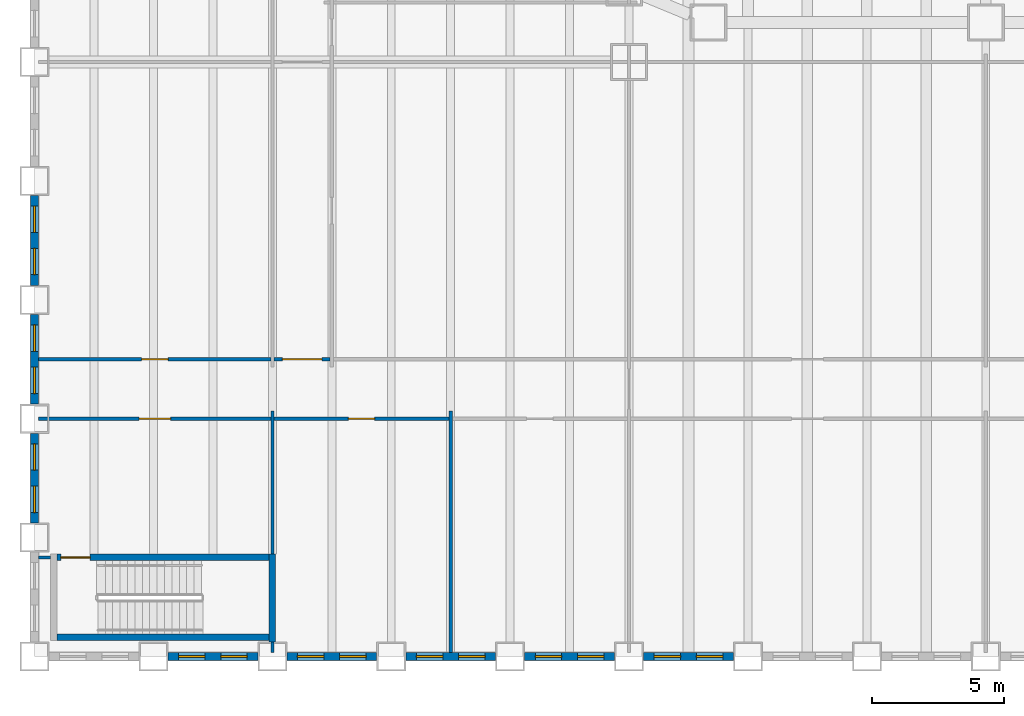
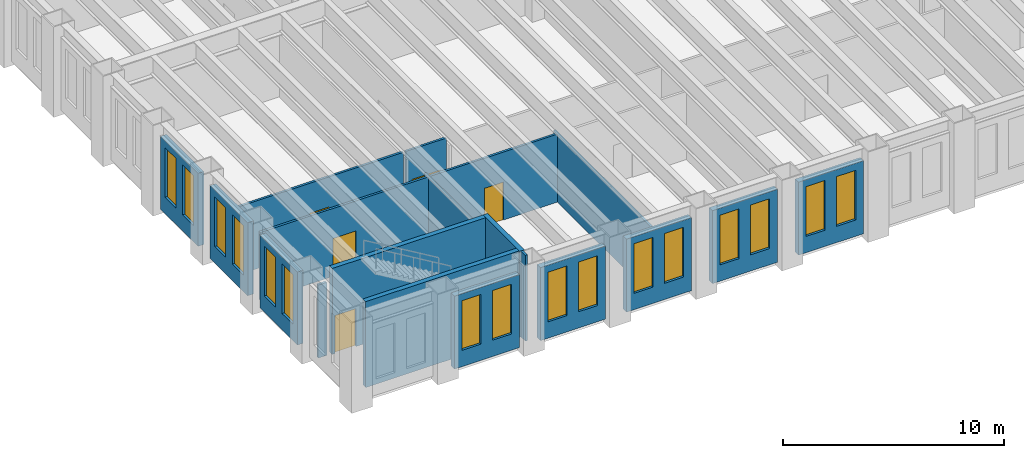
# One storey, part 9 of 19: 19 walls, 16 windows, 5 doors, 21 openings.
"""IFC4 building model written with IfcOpenShell, lengths in metres."""

import ifcopenshell
import ifcopenshell.guid

model = None  # the IFC model being written
_history = None  # IfcOwnerHistory: only IFC2X3 demands one
_inside = {}  # id of a spatial element -> (the spatial element, [elements in it])
_under = {}  # id of a project, library or spatial element -> (it, [spatial elements below it])
_declared = {}  # id of a project -> (the project, [libraries it declares])
_typed = {}  # id of a type object -> (the type object, [elements of that type])
_made_of = {}  # id of a material, layer set ... -> (it, [elements and type objects made of it])


def new_model(schema):
    """Start an empty IFC model of exactly this schema.

    Asked for "IFC4X3", IfcOpenShell would pick the latest addendum, in which some entities
    have other attributes; the version numbers below select the first issue.
    IFC2X3 requires an IfcOwnerHistory on every rooted entity: one is made here for all.
    """
    global model, _history
    if schema == "IFC4X3":
        model = ifcopenshell.file(schema_version=(4, 3, 0, 0))
    else:
        model = ifcopenshell.file(schema=schema)
    _inside.clear()
    _under.clear()
    _declared.clear()
    _typed.clear()
    _made_of.clear()
    _history = None
    if model.schema == "IFC2X3":
        org = make("IfcOrganization", Name="unknown")
        user = make(
            "IfcPersonAndOrganization",
            ThePerson=make("IfcPerson", FamilyName="unknown"),
            TheOrganization=org,
        )
        app = make(
            "IfcApplication",
            ApplicationDeveloper=org,
            Version="unknown",
            ApplicationFullName="unknown",
            ApplicationIdentifier="unknown",
        )
        _history = make(
            "IfcOwnerHistory",
            OwningUser=user,
            OwningApplication=app,
            ChangeAction="ADDED",
            CreationDate=0,
        )
    return model


def make(cls, **values):
    """One entity of the class cls with the attributes given. An attribute that is None is left unset."""
    return model.create_entity(
        cls, **{name: value for name, value in values.items() if value is not None}
    )


def rooted(cls, **values):
    """An entity with a GlobalId (a new one), such as an element, a storey or a relation."""
    return make(cls, GlobalId=ifcopenshell.guid.new(), OwnerHistory=_history, **values)


def si_unit(unit_type, name, prefix=None):
    """IfcSIUnit, for example si_unit("LENGTHUNIT", "METRE", prefix="MILLI")."""
    return make("IfcSIUnit", UnitType=unit_type, Prefix=prefix, Name=name)


def assignment(units):
    """IfcUnitAssignment: the units of a project."""
    return None if units is None else make("IfcUnitAssignment", Units=units)


def point(xyz):
    """IfcCartesianPoint."""
    return None if xyz is None else make("IfcCartesianPoint", Coordinates=xyz)


def direction(xyz):
    """IfcDirection."""
    return None if xyz is None else make("IfcDirection", DirectionRatios=xyz)


def frame(location, z_axis=None, x_axis=None):
    """IfcAxis2Placement3D, a coordinate frame: its origin and axes. An axis left out is left unset."""
    return make(
        "IfcAxis2Placement3D",
        Location=point(location),
        Axis=direction(z_axis),
        RefDirection=direction(x_axis),
    )


def frame_2d(location, x_axis=None):
    """IfcAxis2Placement2D, a coordinate frame in the plane: its origin and x axis."""
    return make(
        "IfcAxis2Placement2D", Location=point(location), RefDirection=direction(x_axis)
    )


def origin():
    """The frame at (0, 0, 0) with its axes left unset."""
    return frame((0.0, 0.0, 0.0))


def place(relative_to, where):
    """IfcLocalPlacement: puts the frame where relative to a parent placement (None: the world)."""
    return make(
        "IfcLocalPlacement", PlacementRelTo=relative_to, RelativePlacement=where
    )


def context(
    kind, dimensions, precision=None, world=None, true_north=None, identifier=None
):
    """IfcGeometricRepresentationContext, for example the 3D "Model" context."""
    return make(
        "IfcGeometricRepresentationContext",
        ContextIdentifier=identifier,
        ContextType=kind,
        CoordinateSpaceDimension=dimensions,
        Precision=precision,
        WorldCoordinateSystem=world,
        TrueNorth=true_north,
    )


def subcontext(parent, identifier, kind, view, scale=None):
    """IfcGeometricRepresentationSubContext, for example "Body" below "Model"."""
    return make(
        "IfcGeometricRepresentationSubContext",
        ContextIdentifier=identifier,
        ContextType=kind,
        ParentContext=parent,
        TargetScale=scale,
        TargetView=view,
    )


def project(units=None, contexts=None):
    """IfcProject with its units and contexts."""
    return rooted(
        "IfcProject",
        Name="project",
        RepresentationContexts=contexts,
        UnitsInContext=assignment(units),
    )


def spatial(cls, under=None, at=None, **own):
    """A site, building, storey or space (cls), placed at a placement, below another one or the project."""
    s = rooted(cls, ObjectPlacement=at, **own)
    if under is not None:
        _under.setdefault(under.id(), (under, []))[1].append(s)
    return s


def profile(cls, at=None, kind="AREA", **sizes):
    """A parametric profile (cls). Its sizes go by their IFC names, for example OverallWidth=200.0."""
    return make(cls, ProfileType=kind, Position=at, **sizes)


def rectangle(**sizes):
    """IfcRectangleProfileDef."""
    return profile("IfcRectangleProfileDef", **sizes)


def extrude(swept, where, along, depth):
    """IfcExtrudedAreaSolid: the profile swept, set in the frame where, extruded along a direction by depth."""
    return make(
        "IfcExtrudedAreaSolid",
        SweptArea=swept,
        Position=where,
        ExtrudedDirection=direction(along),
        Depth=depth,
    )


def shape(context_of_items, identifier, shape_type, items):
    """IfcShapeRepresentation: the items that make up one representation, for example the "Body"."""
    return make(
        "IfcShapeRepresentation",
        ContextOfItems=context_of_items,
        RepresentationIdentifier=identifier,
        RepresentationType=shape_type,
        Items=items,
    )


def material(Name=None, Category=None):
    """IfcMaterial."""
    return make("IfcMaterial", Name=Name, Category=Category)


def layer(
    of_material, thickness, ventilated=None, Name=None, Category=None, Priority=None
):
    """IfcMaterialLayer: one layer of a wall or slab, of a material (None: an air gap)."""
    return make(
        "IfcMaterialLayer",
        Material=of_material,
        LayerThickness=thickness,
        IsVentilated=ventilated,
        Name=Name,
        Category=Category,
        Priority=Priority,
    )


def layer_set(layers, Name=None):
    """IfcMaterialLayerSet."""
    return make("IfcMaterialLayerSet", MaterialLayers=layers, LayerSetName=Name)


def made_of(thing, what):
    """Note that an element or type object is made of a material, layer set ...; save() writes the relation."""
    if what is not None:
        _made_of.setdefault(what.id(), (what, []))[1].append(thing)
    return thing


def type_object(cls, material=None, **own):
    """A type object (cls), such as IfcWallType, which elements share."""
    return made_of(rooted(cls, **own), material)


def element(
    cls,
    number,
    at=None,
    inside=None,
    cuts=None,
    type_object=None,
    material=None,
    context=None,
    identifier="Body",
    shape_type=None,
    held_by="IfcProductDefinitionShape",
    body=None,
    shapes=None,
    **own,
):
    """One element of the class cls, such as IfcWall. Its Tag is "e" and its number.

    at: its placement. inside: the storey or other place that contains it. cuts: it is an
    opening in that element (IfcRelVoidsElement). A single representation is given by context,
    identifier, shape_type and body (its items); several are given by shapes. held_by: the class
    of the entity that holds the representations. save() writes the other relations.
    """
    e = rooted(cls, Tag="e%d" % number, ObjectPlacement=at, **own)
    if body is not None:
        shapes = [shape(context, identifier, shape_type, body)]
    if shapes is not None:
        e.Representation = make(held_by, Representations=shapes)
    if inside is not None:
        _inside.setdefault(inside.id(), (inside, []))[1].append(e)
    if cuts is not None:
        rooted(
            "IfcRelVoidsElement", RelatingBuildingElement=cuts, RelatedOpeningElement=e
        )
    if type_object is not None:
        _typed.setdefault(type_object.id(), (type_object, []))[1].append(e)
    return made_of(e, material)


def fill(opening, filler):
    """IfcRelFillsElement: the door or window that sits in an opening."""
    return rooted(
        "IfcRelFillsElement",
        RelatingOpeningElement=opening,
        RelatedBuildingElement=filler,
    )


def aggregate(whole, parts):
    """IfcRelAggregates: a whole, such as a stair, and the parts it consists of."""
    return rooted("IfcRelAggregates", RelatingObject=whole, RelatedObjects=parts)


def save(model, path):
    """Write the relations noted so far, then the file.

    IfcRelAggregates (storeys below a building ...), IfcRelContainedInSpatialStructure (elements
    in a storey), IfcRelDefinesByType, IfcRelAssociatesMaterial and IfcRelDeclares: one each for
    every whole, place, type object, material and project.
    """
    for whole, parts in _under.values():
        aggregate(whole, parts)
    for where, things in _inside.values():
        rooted(
            "IfcRelContainedInSpatialStructure",
            RelatedElements=things,
            RelatingStructure=where,
        )
    for kind, things in _typed.values():
        rooted("IfcRelDefinesByType", RelatedObjects=things, RelatingType=kind)
    for what, things in _made_of.values():
        rooted("IfcRelAssociatesMaterial", RelatedObjects=things, RelatingMaterial=what)
    for by, libraries in _declared.values():
        rooted("IfcRelDeclares", RelatingContext=by, RelatedDefinitions=libraries)
    model.write(path)


model = new_model("IFC4")

# Units and contexts
model_context = context("Model", 3, precision=1e-05, world=origin(), true_north=direction((0.0, 1.0)))
body_context = subcontext(model_context, "Body", "Model", "MODEL_VIEW")
ifc_project = project(units=[si_unit("LENGTHUNIT", "METRE"), si_unit("AREAUNIT", "SQUARE_METRE"), si_unit("VOLUMEUNIT", "CUBIC_METRE"), si_unit("PLANEANGLEUNIT", "RADIAN"), si_unit("MASSUNIT", "GRAM", prefix="KILO")], contexts=[model_context])

# Site, building, storey
site_placement = place(None, origin())
site = spatial("IfcSite", under=ifc_project, at=site_placement, CompositionType="ELEMENT")
building_placement = place(site_placement, origin())
building = spatial("IfcBuilding", under=site, at=building_placement, Name="Sennacour Bend Tower", CompositionType="ELEMENT")
storey_placement = place(building_placement, frame((0.0, 0.0, 19.0)))
storey = spatial("IfcBuildingStorey", under=building, at=storey_placement, Name="L03", CompositionType="ELEMENT", Elevation=19.0)

# Walls
ifc_material_1 = material(Name="Plasterboard partition on steel studs", Category="steel")
ifc_layer_1 = layer(ifc_material_1, 0.1201171875, Name="Plasterboard partition on steel studs", Category="steel")
ifc_layer_set_1 = layer_set([ifc_layer_1], Name="Plasterboard partition on steel studs")
wall_type_1 = type_object("IfcWallType", Name="Partition 120", PredefinedType="PARTITIONING", material=ifc_layer_set_1)
wall_1_placement = place(storey_placement, frame((9.0, 0.14990234375, 0.0), z_axis=(0.0, 0.0, 1.0), x_axis=(0.0, 1.0, 0.0)))
element("IfcWall", 1, at=wall_1_placement, inside=storey, type_object=wall_type_1, Name="P-L03-W007a", PredefinedType="PARTITIONING", context=body_context, shape_type="SweptSolid", body=[
    extrude(rectangle(XDim=0.400146484375, YDim=0.1201171875, at=frame_2d((0.2001953125, 0.0))), origin(), (0.0, 0.0, 1.0), 4.75),
])
wall_2_placement = place(storey_placement, frame((9.0, 3.875, 0.0), z_axis=(0.0, 0.0, 1.0), x_axis=(0.0, 1.0, 0.0)))
element("IfcWall", 2, at=wall_2_placement, inside=storey, type_object=wall_type_1, Name="P-L03-W009a", PredefinedType="PARTITIONING", context=body_context, shape_type="SweptSolid", body=[
    extrude(rectangle(XDim=5.425048828125, YDim=0.1201171875, at=frame_2d((2.71240234375, 0.0))), origin(), (0.0, 0.0, 1.0), 3.7587890625),
])
wall_3_placement = place(storey_placement, frame((15.75, 0.14990234375, 0.0), z_axis=(0.0, 0.0, 1.0), x_axis=(0.0, 1.0, 0.0)))
element("IfcWall", 3, at=wall_3_placement, inside=storey, type_object=wall_type_1, Name="P-L03-W017a", PredefinedType="PARTITIONING", context=body_context, shape_type="SweptSolid", body=[
    extrude(rectangle(XDim=9.150146484375, YDim=0.1201171875, at=frame_2d((4.5751953125, 0.0))), origin(), (0.0, 0.0, 1.0), 3.7587890625),
])
wall_4_placement = place(storey_placement, frame((0.14990234375, 3.75, 0.0), z_axis=(0.0, 0.0, 1.0), x_axis=(1.0, 0.0, 0.0)))
element("IfcWall", 4, at=wall_4_placement, inside=storey, type_object=wall_type_1, Name="P-L03-W049a", PredefinedType="PARTITIONING", context=body_context, shape_type="SweptSolid", body=[
    extrude(rectangle(XDim=0.4501953125, YDim=0.1201171875, at=frame_2d((0.22509765625, 0.0))), origin(), (0.0, 0.0, 1.0), 4.0361328125),
])

# Wall, opening, door
wall_5_placement = place(storey_placement, frame((9.06005859375, 9.0, 0.0), z_axis=(0.0, 0.0, 1.0), x_axis=(1.0, 0.0, 0.0)))
wall_5 = element("IfcWall", 5, at=wall_5_placement, inside=storey, type_object=wall_type_1, Name="P-L03-W055ab", PredefinedType="PARTITIONING", context=body_context, shape_type="SweptSolid", body=[
    extrude(rectangle(XDim=6.6298828125, YDim=0.1201171875, at=frame_2d((3.31494140625, 0.0))), origin(), (0.0, 0.0, 1.0), 3.7587890625),
])
opening_1_placement = place(wall_5_placement, frame((2.81494140625, 0.0, 0.0)))
opening_1 = element("IfcOpeningElement", 6, at=opening_1_placement, cuts=wall_5, Name="Opening OD2", PredefinedType="OPENING", context=body_context, shape_type="SweptSolid", body=[
    extrude(rectangle(XDim=1.0, YDim=2.10009765625, at=frame_2d((0.5, 1.050048828125))), frame((0.0, 0.070068359375, 0.0), z_axis=(0.0, -1.0, 0.0), x_axis=(1.0, 0.0, 0.0)), (0.0, 0.0, 1.0), 0.14013671875),
])
ifc_material_2 = material(Name="Timber", Category="wood")
door_type_1 = type_object("IfcDoorType", Name="DR-OFFICE-1000", OperationType="NOTDEFINED", PredefinedType="DOOR", material=ifc_material_2)
door_1_placement = place(opening_1_placement, origin())
door_1 = element("IfcDoor", 7, at=door_1_placement, inside=storey, type_object=door_type_1, Name="Door", OperationType="SINGLE_SWING_LEFT", OverallHeight=2.10009765625, OverallWidth=1.0, PredefinedType="DOOR", context=body_context, shape_type="SweptSolid", body=[
    extrude(rectangle(XDim=1.0, YDim=2.10009765625, at=frame_2d((0.5, 1.050048828125))), frame((0.0, 0.02490234375, 0.0), z_axis=(0.0, -1.0, 0.0), x_axis=(1.0, 0.0, 0.0)), (0.0, 0.0, 1.0), 0.050048828125),
])
fill(opening_1, door_1)

wall_6_placement = place(storey_placement, frame((0.14990234375, 11.25, 0.0), z_axis=(0.0, 0.0, 1.0), x_axis=(1.0, 0.0, 0.0)))
wall_6 = element("IfcWall", 8, at=wall_6_placement, inside=storey, type_object=wall_type_1, Name="P-L03-W057aa", PredefinedType="PARTITIONING", context=body_context, shape_type="SweptSolid", body=[
    extrude(rectangle(XDim=8.7900390625, YDim=0.1201171875, at=frame_2d((4.39501953125, 0.0))), origin(), (0.0, 0.0, 1.0), 3.7587890625),
])
opening_2_placement = place(wall_6_placement, frame((3.905029296875, 0.0, 0.0)))
opening_2 = element("IfcOpeningElement", 9, at=opening_2_placement, cuts=wall_6, Name="Opening OD2", PredefinedType="OPENING", context=body_context, shape_type="SweptSolid", body=[
    extrude(rectangle(XDim=1.0, YDim=2.10009765625, at=frame_2d((0.5, 1.050048828125))), frame((0.0, 0.070068359375, 0.0), z_axis=(0.0, -1.0, 0.0), x_axis=(1.0, 0.0, 0.0)), (0.0, 0.0, 1.0), 0.14013671875),
])
door_2_placement = place(opening_2_placement, origin())
door_2 = element("IfcDoor", 10, at=door_2_placement, inside=storey, type_object=door_type_1, Name="Door", OperationType="SINGLE_SWING_RIGHT", OverallHeight=2.10009765625, OverallWidth=1.0, PredefinedType="DOOR", context=body_context, shape_type="SweptSolid", body=[
    extrude(rectangle(XDim=1.0, YDim=2.10009765625, at=frame_2d((0.5, 1.050048828125))), frame((0.0, 0.02490234375, 0.0), z_axis=(0.0, -1.0, 0.0), x_axis=(1.0, 0.0, 0.0)), (0.0, 0.0, 1.0), 0.050048828125),
])
fill(opening_2, door_2)

ifc_layer_2 = layer(ifc_material_1, 0.1201171875, Name="Plasterboard partition on steel studs", Category="steel")
ifc_layer_set_2 = layer_set([ifc_layer_2], Name="Plasterboard partition on steel studs")
wall_type_2 = type_object("IfcWallType", Name="Partition 120 EI 30", PredefinedType="PARTITIONING", material=ifc_layer_set_2)
wall_7_placement = place(storey_placement, frame((0.14990234375, 9.0, 0.0), z_axis=(0.0, 0.0, 1.0), x_axis=(1.0, 0.0, 0.0)))
wall_7 = element("IfcWall", 11, at=wall_7_placement, inside=storey, type_object=wall_type_2, Name="P-L03-W055aa", PredefinedType="PARTITIONING", context=body_context, shape_type="SweptSolid", body=[
    extrude(rectangle(XDim=8.7900390625, YDim=0.1201171875, at=frame_2d((4.39501953125, 0.0))), origin(), (0.0, 0.0, 1.0), 3.7587890625),
])
opening_3_placement = place(wall_7_placement, frame((3.80517578125, 0.0, 0.0)))
opening_3 = element("IfcOpeningElement", 12, at=opening_3_placement, cuts=wall_7, Name="Opening KD2", PredefinedType="OPENING", context=body_context, shape_type="SweptSolid", body=[
    extrude(rectangle(XDim=1.199951171875, YDim=2.10009765625, at=frame_2d((0.60009765625, 1.050048828125))), frame((0.0, 0.070068359375, 0.0), z_axis=(0.0, -1.0, 0.0), x_axis=(1.0, 0.0, 0.0)), (0.0, 0.0, 1.0), 0.14013671875),
])
ifc_material_3 = material(Name="Painted steel", Category="steel")
door_type_2 = type_object("IfcDoorType", Name="DR-CORRIDOR-1200", OperationType="NOTDEFINED", PredefinedType="DOOR", material=ifc_material_3)
door_3_placement = place(opening_3_placement, origin())
door_3 = element("IfcDoor", 13, at=door_3_placement, inside=storey, type_object=door_type_2, Name="Door", OperationType="SINGLE_SWING_LEFT", OverallHeight=2.10009765625, OverallWidth=1.199951171875, PredefinedType="DOOR", context=body_context, shape_type="SweptSolid", body=[
    extrude(rectangle(XDim=1.199951171875, YDim=2.10009765625, at=frame_2d((0.60009765625, 1.050048828125))), frame((0.0, 0.02490234375, 0.0), z_axis=(0.0, -1.0, 0.0), x_axis=(1.0, 0.0, 0.0)), (0.0, 0.0, 1.0), 0.050048828125),
])
fill(opening_3, door_3)

wall_8_placement = place(storey_placement, frame((9.06005859375, 11.25, 0.0), z_axis=(0.0, 0.0, 1.0), x_axis=(1.0, 0.0, 0.0)))
wall_8 = element("IfcWall", 14, at=wall_8_placement, inside=storey, type_object=wall_type_2, Name="P-L03-W057ab", PredefinedType="PARTITIONING", context=body_context, shape_type="SweptSolid", body=[
    extrude(rectangle(XDim=2.1298828125, YDim=0.1201171875, at=frame_2d((1.06494140625, 0.0))), origin(), (0.0, 0.0, 1.0), 3.7587890625),
])
opening_4_placement = place(wall_8_placement, frame((0.31494140625, 0.0, 0.0)))
opening_4 = element("IfcOpeningElement", 15, at=opening_4_placement, cuts=wall_8, Name="Opening KD", PredefinedType="OPENING", context=body_context, shape_type="SweptSolid", body=[
    extrude(rectangle(XDim=1.5, YDim=2.10009765625, at=frame_2d((0.75, 1.050048828125))), frame((0.0, 0.070068359375, 0.0), z_axis=(0.0, -1.0, 0.0), x_axis=(1.0, 0.0, 0.0)), (0.0, 0.0, 1.0), 0.14013671875),
])
door_type_3 = type_object("IfcDoorType", Name="DR-CORRIDOR-1500", OperationType="NOTDEFINED", PredefinedType="DOOR", material=ifc_material_3)
door_4_placement = place(opening_4_placement, origin())
door_4 = element("IfcDoor", 16, at=door_4_placement, inside=storey, type_object=door_type_3, Name="Door", OperationType="SINGLE_SWING_LEFT", OverallHeight=2.10009765625, OverallWidth=1.5, PredefinedType="DOOR", context=body_context, shape_type="SweptSolid", body=[
    extrude(rectangle(XDim=1.5, YDim=2.10009765625, at=frame_2d((0.75, 1.050048828125))), frame((0.0, 0.02490234375, 0.0), z_axis=(0.0, -1.0, 0.0), x_axis=(1.0, 0.0, 0.0)), (0.0, 0.0, 1.0), 0.050048828125),
])
fill(opening_4, door_4)

# Wall, openings, windows
ifc_material_4 = material(Name="Warm limestone cladding", Category="masonry")
ifc_layer_3 = layer(ifc_material_4, 0.050048828125, Name="Warm limestone cladding", Category="masonry")
ifc_material_5 = material(Name="Precast concrete C40/50", Category="concrete")
ifc_layer_4 = layer(ifc_material_5, 0.25, Name="Precast concrete C40/50", Category="concrete")
ifc_layer_set_3 = layer_set([ifc_layer_3, ifc_layer_4], Name="Precast concrete C40/50 with limestone cladding")
wall_type_3 = type_object("IfcWallType", Name="STONE-CLAD PRECAST SPANDREL 300", PredefinedType="STANDARD", material=ifc_layer_set_3)
wall_9_placement = place(storey_placement, frame((0.0, 17.449951171875, 0.0), z_axis=(0.0, 0.0, 1.0), x_axis=(0.0, -1.0, 0.0)))
wall_9 = element("IfcWall", 17, at=wall_9_placement, inside=storey, type_object=wall_type_3, Name="Stone spandrel and pier wall L03 02.04", PredefinedType="STANDARD", context=body_context, shape_type="SweptSolid", body=[
    extrude(rectangle(XDim=3.39990234375, YDim=0.300048828125, at=frame_2d((1.699951171875, 0.0))), origin(), (0.0, 0.0, 1.0), 4.035888671875),
])
opening_5_placement = place(wall_9_placement, frame((0.39990234375, 0.0, 0.89990234375)))
opening_5 = element("IfcOpeningElement", 18, at=opening_5_placement, cuts=wall_9, Name="Opening W3", PredefinedType="OPENING", context=body_context, shape_type="SweptSolid", body=[
    extrude(rectangle(XDim=1.0, YDim=2.75, at=frame_2d((0.5, 1.375))), frame((0.0, 0.16015625, 0.0), z_axis=(0.0, -1.0, 0.0), x_axis=(1.0, 0.0, 0.0)), (0.0, 0.0, 1.0), 0.320068359375),
])
opening_6_placement = place(wall_9_placement, frame((2.0, 0.0, 0.89990234375)))
opening_6 = element("IfcOpeningElement", 19, at=opening_6_placement, cuts=wall_9, Name="Opening W3", PredefinedType="OPENING", context=body_context, shape_type="SweptSolid", body=[
    extrude(rectangle(XDim=1.0, YDim=2.75, at=frame_2d((0.5, 1.375))), frame((0.0, 0.16015625, 0.0), z_axis=(0.0, -1.0, 0.0), x_axis=(1.0, 0.0, 0.0)), (0.0, 0.0, 1.0), 0.320068359375),
])
ifc_material_6 = material(Name="Clear low-emissivity glass", Category="glass")
window_type = type_object("IfcWindowType", Name="WIN-RIBBON-1000x2750", PartitioningType="SINGLE_PANEL", PredefinedType="WINDOW", material=ifc_material_6)
window_1_placement = place(opening_5_placement, origin())
window_1 = element("IfcWindow", 20, at=window_1_placement, inside=storey, type_object=window_type, Name="Ribbon window L03 02.04.0", OverallHeight=2.75, OverallWidth=1.0, PartitioningType="SINGLE_PANEL", PredefinedType="WINDOW", context=body_context, shape_type="SweptSolid", body=[
    extrude(rectangle(XDim=1.0, YDim=2.75, at=frame_2d((0.5, 1.375))), frame((0.0, 0.030029296875, 0.0), z_axis=(0.0, -1.0, 0.0), x_axis=(1.0, 0.0, 0.0)), (0.0, 0.0, 1.0), 0.06005859375),
])
fill(opening_5, window_1)
window_2_placement = place(opening_6_placement, origin())
window_2 = element("IfcWindow", 21, at=window_2_placement, inside=storey, type_object=window_type, Name="Ribbon window L03 02.04.1", OverallHeight=2.75, OverallWidth=1.0, PartitioningType="SINGLE_PANEL", PredefinedType="WINDOW", context=body_context, shape_type="SweptSolid", body=[
    extrude(rectangle(XDim=1.0, YDim=2.75, at=frame_2d((0.5, 1.375))), frame((0.0, 0.030029296875, 0.0), z_axis=(0.0, -1.0, 0.0), x_axis=(1.0, 0.0, 0.0)), (0.0, 0.0, 1.0), 0.06005859375),
])
fill(opening_6, window_2)

wall_10_placement = place(storey_placement, frame((0.0, 12.949951171875, 0.0), z_axis=(0.0, 0.0, 1.0), x_axis=(0.0, -1.0, 0.0)))
wall_10 = element("IfcWall", 22, at=wall_10_placement, inside=storey, type_object=wall_type_3, Name="Stone spandrel and pier wall L03 02.05", PredefinedType="STANDARD", context=body_context, shape_type="SweptSolid", body=[
    extrude(rectangle(XDim=3.39990234375, YDim=0.300048828125, at=frame_2d((1.699951171875, 0.0))), origin(), (0.0, 0.0, 1.0), 4.035888671875),
])
opening_7_placement = place(wall_10_placement, frame((0.39990234375, 0.0, 0.89990234375)))
opening_7 = element("IfcOpeningElement", 23, at=opening_7_placement, cuts=wall_10, Name="Opening W3", PredefinedType="OPENING", context=body_context, shape_type="SweptSolid", body=[
    extrude(rectangle(XDim=1.0, YDim=2.75, at=frame_2d((0.5, 1.375))), frame((0.0, 0.16015625, 0.0), z_axis=(0.0, -1.0, 0.0), x_axis=(1.0, 0.0, 0.0)), (0.0, 0.0, 1.0), 0.320068359375),
])
opening_8_placement = place(wall_10_placement, frame((2.0, 0.0, 0.89990234375)))
opening_8 = element("IfcOpeningElement", 24, at=opening_8_placement, cuts=wall_10, Name="Opening W3", PredefinedType="OPENING", context=body_context, shape_type="SweptSolid", body=[
    extrude(rectangle(XDim=1.0, YDim=2.75, at=frame_2d((0.5, 1.375))), frame((0.0, 0.16015625, 0.0), z_axis=(0.0, -1.0, 0.0), x_axis=(1.0, 0.0, 0.0)), (0.0, 0.0, 1.0), 0.320068359375),
])
window_3_placement = place(opening_7_placement, origin())
window_3 = element("IfcWindow", 25, at=window_3_placement, inside=storey, type_object=window_type, Name="Ribbon window L03 02.05.0", OverallHeight=2.75, OverallWidth=1.0, PartitioningType="SINGLE_PANEL", PredefinedType="WINDOW", context=body_context, shape_type="SweptSolid", body=[
    extrude(rectangle(XDim=1.0, YDim=2.75, at=frame_2d((0.5, 1.375))), frame((0.0, 0.030029296875, 0.0), z_axis=(0.0, -1.0, 0.0), x_axis=(1.0, 0.0, 0.0)), (0.0, 0.0, 1.0), 0.06005859375),
])
fill(opening_7, window_3)
window_4_placement = place(opening_8_placement, origin())
window_4 = element("IfcWindow", 26, at=window_4_placement, inside=storey, type_object=window_type, Name="Ribbon window L03 02.05.1", OverallHeight=2.75, OverallWidth=1.0, PartitioningType="SINGLE_PANEL", PredefinedType="WINDOW", context=body_context, shape_type="SweptSolid", body=[
    extrude(rectangle(XDim=1.0, YDim=2.75, at=frame_2d((0.5, 1.375))), frame((0.0, 0.030029296875, 0.0), z_axis=(0.0, -1.0, 0.0), x_axis=(1.0, 0.0, 0.0)), (0.0, 0.0, 1.0), 0.06005859375),
])
fill(opening_8, window_4)

wall_11_placement = place(storey_placement, frame((0.0, 8.449951171875, 0.0), z_axis=(0.0, 0.0, 1.0), x_axis=(0.0, -1.0, 0.0)))
wall_11 = element("IfcWall", 27, at=wall_11_placement, inside=storey, type_object=wall_type_3, Name="Stone spandrel and pier wall L03 02.06", PredefinedType="STANDARD", context=body_context, shape_type="SweptSolid", body=[
    extrude(rectangle(XDim=3.39990234375, YDim=0.300048828125, at=frame_2d((1.699951171875, 0.0))), origin(), (0.0, 0.0, 1.0), 4.035888671875),
])
opening_9_placement = place(wall_11_placement, frame((0.39990234375, 0.0, 0.89990234375)))
opening_9 = element("IfcOpeningElement", 28, at=opening_9_placement, cuts=wall_11, Name="Opening W3", PredefinedType="OPENING", context=body_context, shape_type="SweptSolid", body=[
    extrude(rectangle(XDim=1.0, YDim=2.75, at=frame_2d((0.5, 1.375))), frame((0.0, 0.16015625, 0.0), z_axis=(0.0, -1.0, 0.0), x_axis=(1.0, 0.0, 0.0)), (0.0, 0.0, 1.0), 0.320068359375),
])
opening_10_placement = place(wall_11_placement, frame((2.0, 0.0, 0.89990234375)))
opening_10 = element("IfcOpeningElement", 29, at=opening_10_placement, cuts=wall_11, Name="Opening W3", PredefinedType="OPENING", context=body_context, shape_type="SweptSolid", body=[
    extrude(rectangle(XDim=1.0, YDim=2.75, at=frame_2d((0.5, 1.375))), frame((0.0, 0.16015625, 0.0), z_axis=(0.0, -1.0, 0.0), x_axis=(1.0, 0.0, 0.0)), (0.0, 0.0, 1.0), 0.320068359375),
])
window_5_placement = place(opening_9_placement, origin())
window_5 = element("IfcWindow", 30, at=window_5_placement, inside=storey, type_object=window_type, Name="Ribbon window L03 02.06.0", OverallHeight=2.75, OverallWidth=1.0, PartitioningType="SINGLE_PANEL", PredefinedType="WINDOW", context=body_context, shape_type="SweptSolid", body=[
    extrude(rectangle(XDim=1.0, YDim=2.75, at=frame_2d((0.5, 1.375))), frame((0.0, 0.030029296875, 0.0), z_axis=(0.0, -1.0, 0.0), x_axis=(1.0, 0.0, 0.0)), (0.0, 0.0, 1.0), 0.06005859375),
])
fill(opening_9, window_5)
window_6_placement = place(opening_10_placement, origin())
window_6 = element("IfcWindow", 31, at=window_6_placement, inside=storey, type_object=window_type, Name="Ribbon window L03 02.06.1", OverallHeight=2.75, OverallWidth=1.0, PartitioningType="SINGLE_PANEL", PredefinedType="WINDOW", context=body_context, shape_type="SweptSolid", body=[
    extrude(rectangle(XDim=1.0, YDim=2.75, at=frame_2d((0.5, 1.375))), frame((0.0, 0.030029296875, 0.0), z_axis=(0.0, -1.0, 0.0), x_axis=(1.0, 0.0, 0.0)), (0.0, 0.0, 1.0), 0.06005859375),
])
fill(opening_10, window_6)

wall_12_placement = place(storey_placement, frame((5.050048828125, 0.0, 0.0), z_axis=(0.0, 0.0, 1.0), x_axis=(1.0, 0.0, 0.0)))
wall_12 = element("IfcWall", 32, at=wall_12_placement, inside=storey, type_object=wall_type_3, Name="Stone spandrel and pier wall L03 03.01", PredefinedType="STANDARD", context=body_context, shape_type="SweptSolid", body=[
    extrude(rectangle(XDim=3.39990234375, YDim=0.300048828125, at=frame_2d((1.699951171875, 0.0))), origin(), (0.0, 0.0, 1.0), 4.035888671875),
])
opening_11_placement = place(wall_12_placement, frame((0.39990234375, 0.0, 0.89990234375)))
opening_11 = element("IfcOpeningElement", 33, at=opening_11_placement, cuts=wall_12, Name="Opening W3", PredefinedType="OPENING", context=body_context, shape_type="SweptSolid", body=[
    extrude(rectangle(XDim=1.0, YDim=2.75, at=frame_2d((0.5, 1.375))), frame((0.0, 0.16015625, 0.0), z_axis=(0.0, -1.0, 0.0), x_axis=(1.0, 0.0, 0.0)), (0.0, 0.0, 1.0), 0.320068359375),
])
opening_12_placement = place(wall_12_placement, frame((2.0, 0.0, 0.89990234375)))
opening_12 = element("IfcOpeningElement", 34, at=opening_12_placement, cuts=wall_12, Name="Opening W3", PredefinedType="OPENING", context=body_context, shape_type="SweptSolid", body=[
    extrude(rectangle(XDim=1.0, YDim=2.75, at=frame_2d((0.5, 1.375))), frame((0.0, 0.16015625, 0.0), z_axis=(0.0, -1.0, 0.0), x_axis=(1.0, 0.0, 0.0)), (0.0, 0.0, 1.0), 0.320068359375),
])
window_7_placement = place(opening_11_placement, origin())
window_7 = element("IfcWindow", 35, at=window_7_placement, inside=storey, type_object=window_type, Name="Ribbon window L03 03.01.0", OverallHeight=2.75, OverallWidth=1.0, PartitioningType="SINGLE_PANEL", PredefinedType="WINDOW", context=body_context, shape_type="SweptSolid", body=[
    extrude(rectangle(XDim=1.0, YDim=2.75, at=frame_2d((0.5, 1.375))), frame((0.0, 0.030029296875, 0.0), z_axis=(0.0, -1.0, 0.0), x_axis=(1.0, 0.0, 0.0)), (0.0, 0.0, 1.0), 0.06005859375),
])
fill(opening_11, window_7)
window_8_placement = place(opening_12_placement, origin())
window_8 = element("IfcWindow", 36, at=window_8_placement, inside=storey, type_object=window_type, Name="Ribbon window L03 03.01.1", OverallHeight=2.75, OverallWidth=1.0, PartitioningType="SINGLE_PANEL", PredefinedType="WINDOW", context=body_context, shape_type="SweptSolid", body=[
    extrude(rectangle(XDim=1.0, YDim=2.75, at=frame_2d((0.5, 1.375))), frame((0.0, 0.030029296875, 0.0), z_axis=(0.0, -1.0, 0.0), x_axis=(1.0, 0.0, 0.0)), (0.0, 0.0, 1.0), 0.06005859375),
])
fill(opening_12, window_8)

wall_13_placement = place(storey_placement, frame((9.550048828125, 0.0, 0.0), z_axis=(0.0, 0.0, 1.0), x_axis=(1.0, 0.0, 0.0)))
wall_13 = element("IfcWall", 37, at=wall_13_placement, inside=storey, type_object=wall_type_3, Name="Stone spandrel and pier wall L03 03.02", PredefinedType="STANDARD", context=body_context, shape_type="SweptSolid", body=[
    extrude(rectangle(XDim=3.39990234375, YDim=0.300048828125, at=frame_2d((1.699951171875, 0.0))), origin(), (0.0, 0.0, 1.0), 4.035888671875),
])
opening_13_placement = place(wall_13_placement, frame((0.39990234375, 0.0, 0.89990234375)))
opening_13 = element("IfcOpeningElement", 38, at=opening_13_placement, cuts=wall_13, Name="Opening W3", PredefinedType="OPENING", context=body_context, shape_type="SweptSolid", body=[
    extrude(rectangle(XDim=1.0, YDim=2.75, at=frame_2d((0.5, 1.375))), frame((0.0, 0.16015625, 0.0), z_axis=(0.0, -1.0, 0.0), x_axis=(1.0, 0.0, 0.0)), (0.0, 0.0, 1.0), 0.320068359375),
])
opening_14_placement = place(wall_13_placement, frame((2.0, 0.0, 0.89990234375)))
opening_14 = element("IfcOpeningElement", 39, at=opening_14_placement, cuts=wall_13, Name="Opening W3", PredefinedType="OPENING", context=body_context, shape_type="SweptSolid", body=[
    extrude(rectangle(XDim=1.0, YDim=2.75, at=frame_2d((0.5, 1.375))), frame((0.0, 0.16015625, 0.0), z_axis=(0.0, -1.0, 0.0), x_axis=(1.0, 0.0, 0.0)), (0.0, 0.0, 1.0), 0.320068359375),
])
window_9_placement = place(opening_13_placement, origin())
window_9 = element("IfcWindow", 40, at=window_9_placement, inside=storey, type_object=window_type, Name="Ribbon window L03 03.02.0", OverallHeight=2.75, OverallWidth=1.0, PartitioningType="SINGLE_PANEL", PredefinedType="WINDOW", context=body_context, shape_type="SweptSolid", body=[
    extrude(rectangle(XDim=1.0, YDim=2.75, at=frame_2d((0.5, 1.375))), frame((0.0, 0.030029296875, 0.0), z_axis=(0.0, -1.0, 0.0), x_axis=(1.0, 0.0, 0.0)), (0.0, 0.0, 1.0), 0.06005859375),
])
fill(opening_13, window_9)
window_10_placement = place(opening_14_placement, origin())
window_10 = element("IfcWindow", 41, at=window_10_placement, inside=storey, type_object=window_type, Name="Ribbon window L03 03.02.1", OverallHeight=2.75, OverallWidth=1.0, PartitioningType="SINGLE_PANEL", PredefinedType="WINDOW", context=body_context, shape_type="SweptSolid", body=[
    extrude(rectangle(XDim=1.0, YDim=2.75, at=frame_2d((0.5, 1.375))), frame((0.0, 0.030029296875, 0.0), z_axis=(0.0, -1.0, 0.0), x_axis=(1.0, 0.0, 0.0)), (0.0, 0.0, 1.0), 0.06005859375),
])
fill(opening_14, window_10)

wall_14_placement = place(storey_placement, frame((14.050048828125, 0.0, 0.0), z_axis=(0.0, 0.0, 1.0), x_axis=(1.0, 0.0, 0.0)))
wall_14 = element("IfcWall", 42, at=wall_14_placement, inside=storey, type_object=wall_type_3, Name="Stone spandrel and pier wall L03 03.03", PredefinedType="STANDARD", context=body_context, shape_type="SweptSolid", body=[
    extrude(rectangle(XDim=3.39990234375, YDim=0.300048828125, at=frame_2d((1.699951171875, 0.0))), origin(), (0.0, 0.0, 1.0), 4.035888671875),
])
opening_15_placement = place(wall_14_placement, frame((0.39990234375, 0.0, 0.89990234375)))
opening_15 = element("IfcOpeningElement", 43, at=opening_15_placement, cuts=wall_14, Name="Opening W3", PredefinedType="OPENING", context=body_context, shape_type="SweptSolid", body=[
    extrude(rectangle(XDim=1.0, YDim=2.75, at=frame_2d((0.5, 1.375))), frame((0.0, 0.16015625, 0.0), z_axis=(0.0, -1.0, 0.0), x_axis=(1.0, 0.0, 0.0)), (0.0, 0.0, 1.0), 0.320068359375),
])
opening_16_placement = place(wall_14_placement, frame((2.0, 0.0, 0.89990234375)))
opening_16 = element("IfcOpeningElement", 44, at=opening_16_placement, cuts=wall_14, Name="Opening W3", PredefinedType="OPENING", context=body_context, shape_type="SweptSolid", body=[
    extrude(rectangle(XDim=1.0, YDim=2.75, at=frame_2d((0.5, 1.375))), frame((0.0, 0.16015625, 0.0), z_axis=(0.0, -1.0, 0.0), x_axis=(1.0, 0.0, 0.0)), (0.0, 0.0, 1.0), 0.320068359375),
])
window_11_placement = place(opening_15_placement, origin())
window_11 = element("IfcWindow", 45, at=window_11_placement, inside=storey, type_object=window_type, Name="Ribbon window L03 03.03.0", OverallHeight=2.75, OverallWidth=1.0, PartitioningType="SINGLE_PANEL", PredefinedType="WINDOW", context=body_context, shape_type="SweptSolid", body=[
    extrude(rectangle(XDim=1.0, YDim=2.75, at=frame_2d((0.5, 1.375))), frame((0.0, 0.030029296875, 0.0), z_axis=(0.0, -1.0, 0.0), x_axis=(1.0, 0.0, 0.0)), (0.0, 0.0, 1.0), 0.06005859375),
])
fill(opening_15, window_11)
window_12_placement = place(opening_16_placement, origin())
window_12 = element("IfcWindow", 46, at=window_12_placement, inside=storey, type_object=window_type, Name="Ribbon window L03 03.03.1", OverallHeight=2.75, OverallWidth=1.0, PartitioningType="SINGLE_PANEL", PredefinedType="WINDOW", context=body_context, shape_type="SweptSolid", body=[
    extrude(rectangle(XDim=1.0, YDim=2.75, at=frame_2d((0.5, 1.375))), frame((0.0, 0.030029296875, 0.0), z_axis=(0.0, -1.0, 0.0), x_axis=(1.0, 0.0, 0.0)), (0.0, 0.0, 1.0), 0.06005859375),
])
fill(opening_16, window_12)

wall_15_placement = place(storey_placement, frame((18.550048828125, 0.0, 0.0), z_axis=(0.0, 0.0, 1.0), x_axis=(1.0, 0.0, 0.0)))
wall_15 = element("IfcWall", 47, at=wall_15_placement, inside=storey, type_object=wall_type_3, Name="Stone spandrel and pier wall L03 03.04", PredefinedType="STANDARD", context=body_context, shape_type="SweptSolid", body=[
    extrude(rectangle(XDim=3.39990234375, YDim=0.300048828125, at=frame_2d((1.699951171875, 0.0))), origin(), (0.0, 0.0, 1.0), 4.035888671875),
])
opening_17_placement = place(wall_15_placement, frame((0.39990234375, 0.0, 0.89990234375)))
opening_17 = element("IfcOpeningElement", 48, at=opening_17_placement, cuts=wall_15, Name="Opening W3", PredefinedType="OPENING", context=body_context, shape_type="SweptSolid", body=[
    extrude(rectangle(XDim=1.0, YDim=2.75, at=frame_2d((0.5, 1.375))), frame((0.0, 0.16015625, 0.0), z_axis=(0.0, -1.0, 0.0), x_axis=(1.0, 0.0, 0.0)), (0.0, 0.0, 1.0), 0.320068359375),
])
opening_18_placement = place(wall_15_placement, frame((2.0, 0.0, 0.89990234375)))
opening_18 = element("IfcOpeningElement", 49, at=opening_18_placement, cuts=wall_15, Name="Opening W3", PredefinedType="OPENING", context=body_context, shape_type="SweptSolid", body=[
    extrude(rectangle(XDim=1.0, YDim=2.75, at=frame_2d((0.5, 1.375))), frame((0.0, 0.16015625, 0.0), z_axis=(0.0, -1.0, 0.0), x_axis=(1.0, 0.0, 0.0)), (0.0, 0.0, 1.0), 0.320068359375),
])
window_13_placement = place(opening_17_placement, origin())
window_13 = element("IfcWindow", 50, at=window_13_placement, inside=storey, type_object=window_type, Name="Ribbon window L03 03.04.0", OverallHeight=2.75, OverallWidth=1.0, PartitioningType="SINGLE_PANEL", PredefinedType="WINDOW", context=body_context, shape_type="SweptSolid", body=[
    extrude(rectangle(XDim=1.0, YDim=2.75, at=frame_2d((0.5, 1.375))), frame((0.0, 0.030029296875, 0.0), z_axis=(0.0, -1.0, 0.0), x_axis=(1.0, 0.0, 0.0)), (0.0, 0.0, 1.0), 0.06005859375),
])
fill(opening_17, window_13)
window_14_placement = place(opening_18_placement, origin())
window_14 = element("IfcWindow", 51, at=window_14_placement, inside=storey, type_object=window_type, Name="Ribbon window L03 03.04.1", OverallHeight=2.75, OverallWidth=1.0, PartitioningType="SINGLE_PANEL", PredefinedType="WINDOW", context=body_context, shape_type="SweptSolid", body=[
    extrude(rectangle(XDim=1.0, YDim=2.75, at=frame_2d((0.5, 1.375))), frame((0.0, 0.030029296875, 0.0), z_axis=(0.0, -1.0, 0.0), x_axis=(1.0, 0.0, 0.0)), (0.0, 0.0, 1.0), 0.06005859375),
])
fill(opening_18, window_14)

wall_16_placement = place(storey_placement, frame((23.050048828125, 0.0, 0.0), z_axis=(0.0, 0.0, 1.0), x_axis=(1.0, 0.0, 0.0)))
wall_16 = element("IfcWall", 52, at=wall_16_placement, inside=storey, type_object=wall_type_3, Name="Stone spandrel and pier wall L03 03.05", PredefinedType="STANDARD", context=body_context, shape_type="SweptSolid", body=[
    extrude(rectangle(XDim=3.39990234375, YDim=0.300048828125, at=frame_2d((1.699951171875, 0.0))), origin(), (0.0, 0.0, 1.0), 4.035888671875),
])
opening_19_placement = place(wall_16_placement, frame((0.39990234375, 0.0, 0.89990234375)))
opening_19 = element("IfcOpeningElement", 53, at=opening_19_placement, cuts=wall_16, Name="Opening W3", PredefinedType="OPENING", context=body_context, shape_type="SweptSolid", body=[
    extrude(rectangle(XDim=1.0, YDim=2.75, at=frame_2d((0.5, 1.375))), frame((0.0, 0.16015625, 0.0), z_axis=(0.0, -1.0, 0.0), x_axis=(1.0, 0.0, 0.0)), (0.0, 0.0, 1.0), 0.320068359375),
])
opening_20_placement = place(wall_16_placement, frame((2.0, 0.0, 0.89990234375)))
opening_20 = element("IfcOpeningElement", 54, at=opening_20_placement, cuts=wall_16, Name="Opening W3", PredefinedType="OPENING", context=body_context, shape_type="SweptSolid", body=[
    extrude(rectangle(XDim=1.0, YDim=2.75, at=frame_2d((0.5, 1.375))), frame((0.0, 0.16015625, 0.0), z_axis=(0.0, -1.0, 0.0), x_axis=(1.0, 0.0, 0.0)), (0.0, 0.0, 1.0), 0.320068359375),
])
window_15_placement = place(opening_19_placement, origin())
window_15 = element("IfcWindow", 55, at=window_15_placement, inside=storey, type_object=window_type, Name="Ribbon window L03 03.05.0", OverallHeight=2.75, OverallWidth=1.0, PartitioningType="SINGLE_PANEL", PredefinedType="WINDOW", context=body_context, shape_type="SweptSolid", body=[
    extrude(rectangle(XDim=1.0, YDim=2.75, at=frame_2d((0.5, 1.375))), frame((0.0, 0.030029296875, 0.0), z_axis=(0.0, -1.0, 0.0), x_axis=(1.0, 0.0, 0.0)), (0.0, 0.0, 1.0), 0.06005859375),
])
fill(opening_19, window_15)
window_16_placement = place(opening_20_placement, origin())
window_16 = element("IfcWindow", 56, at=window_16_placement, inside=storey, type_object=window_type, Name="Ribbon window L03 03.05.1", OverallHeight=2.75, OverallWidth=1.0, PartitioningType="SINGLE_PANEL", PredefinedType="WINDOW", context=body_context, shape_type="SweptSolid", body=[
    extrude(rectangle(XDim=1.0, YDim=2.75, at=frame_2d((0.5, 1.375))), frame((0.0, 0.030029296875, 0.0), z_axis=(0.0, -1.0, 0.0), x_axis=(1.0, 0.0, 0.0)), (0.0, 0.0, 1.0), 0.06005859375),
])
fill(opening_20, window_16)

# Walls
ifc_material_7 = material(Name="Concrete C60/75", Category="concrete")
ifc_layer_5 = layer(ifc_material_7, 0.25, Name="Concrete C60/75", Category="concrete")
ifc_layer_set_4 = layer_set([ifc_layer_5], Name="Concrete C60/75")
wall_type_4 = type_object("IfcWallType", Name="Stair wall 250", PredefinedType="SHEAR", material=ifc_layer_set_4)
wall_17_placement = place(storey_placement, frame((9.0, 0.550048828125, 0.0), z_axis=(0.0, 0.0, 1.0), x_axis=(0.0, 1.0, 0.0)))
element("IfcWall", 57, at=wall_17_placement, inside=storey, type_object=wall_type_4, Name="P-L03-W008", PredefinedType="SHEAR", context=body_context, shape_type="SweptSolid", body=[
    extrude(rectangle(XDim=3.324951171875, YDim=0.25, at=frame_2d((1.66259765625, 0.0))), origin(), (0.0, 0.0, 1.0), 4.75),
])
wall_18_placement = place(storey_placement, frame((0.85009765625, 0.72509765625, 0.0), z_axis=(0.0, 0.0, 1.0), x_axis=(1.0, 0.0, 0.0)))
element("IfcWall", 58, at=wall_18_placement, inside=storey, type_object=wall_type_4, Name="P-L03-W046", PredefinedType="SHEAR", context=body_context, shape_type="SweptSolid", body=[
    extrude(rectangle(XDim=8.02490234375, YDim=0.25, at=frame_2d((4.012451171875, 0.0))), origin(), (0.0, 0.0, 1.0), 4.75),
])

# Wall, opening, door
wall_19_placement = place(storey_placement, frame((0.85009765625, 3.75, 0.0), z_axis=(0.0, 0.0, 1.0), x_axis=(1.0, 0.0, 0.0)))
wall_19 = element("IfcWall", 59, at=wall_19_placement, inside=storey, type_object=wall_type_4, Name="P-L03-W050", PredefinedType="SHEAR", context=body_context, shape_type="SweptSolid", body=[
    extrude(rectangle(XDim=8.02490234375, YDim=0.25, at=frame_2d((4.012451171875, 0.0))), origin(), (0.0, 0.0, 1.0), 4.75),
])
opening_21_placement = place(wall_19_placement, frame((0.14990234375, 0.0, 0.0)))
opening_21 = element("IfcOpeningElement", 60, at=opening_21_placement, cuts=wall_19, Name="Opening SD", PredefinedType="OPENING", context=body_context, shape_type="SweptSolid", body=[
    extrude(rectangle(XDim=1.10009765625, YDim=2.10009765625, at=frame_2d((0.550048828125, 1.050048828125))), frame((0.0, 0.135009765625, 0.0), z_axis=(0.0, -1.0, 0.0), x_axis=(1.0, 0.0, 0.0)), (0.0, 0.0, 1.0), 0.27001953125),
])
door_type_4 = type_object("IfcDoorType", Name="DR-STAIR-1100", OperationType="NOTDEFINED", PredefinedType="DOOR", material=ifc_material_3)
door_5_placement = place(opening_21_placement, origin())
door_5 = element("IfcDoor", 61, at=door_5_placement, inside=storey, type_object=door_type_4, Name="Door", OperationType="SINGLE_SWING_LEFT", OverallHeight=2.10009765625, OverallWidth=1.10009765625, PredefinedType="DOOR", context=body_context, shape_type="SweptSolid", body=[
    extrude(rectangle(XDim=1.10009765625, YDim=2.10009765625, at=frame_2d((0.550048828125, 1.050048828125))), frame((0.0, 0.02490234375, 0.0), z_axis=(0.0, -1.0, 0.0), x_axis=(1.0, 0.0, 0.0)), (0.0, 0.0, 1.0), 0.050048828125),
])
fill(opening_21, door_5)

save(model, "model.ifc")
